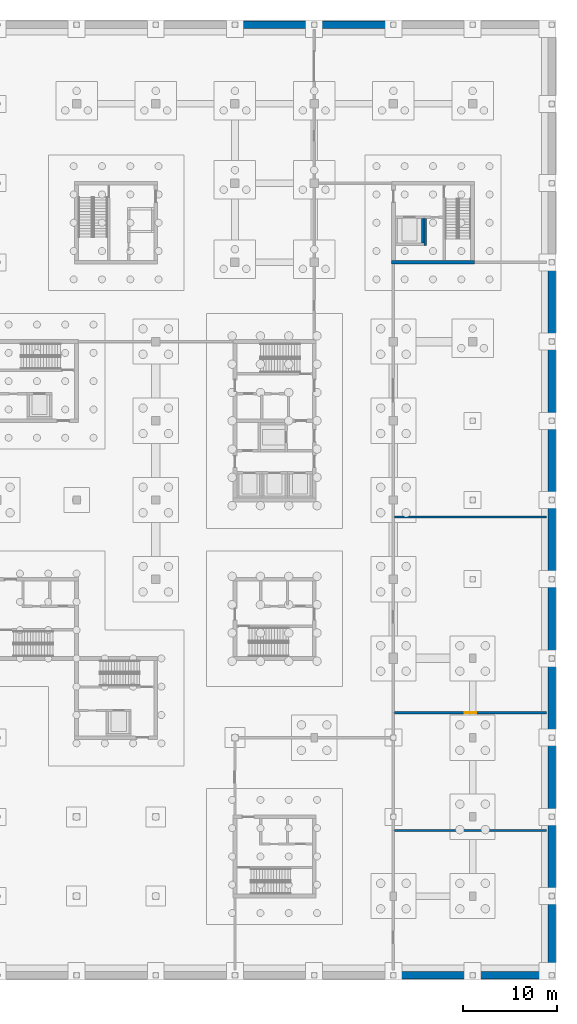
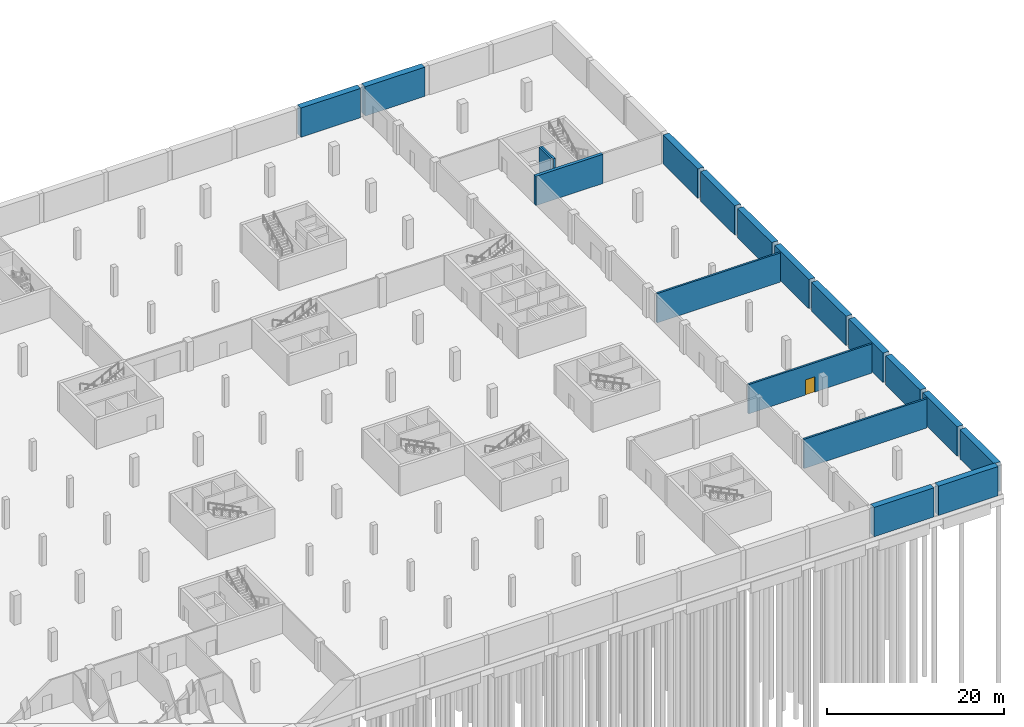
# One storey, part 17 of 23: 19 walls, 1 door, 1 opening.
"""IFC4 building model written with IfcOpenShell, lengths in metres."""

from ifc_helpers import new_model, si_unit, direction, frame, frame_2d, origin, place, context, subcontext, project, spatial, rectangle, extrude, material, layer, layer_set, type_object, element, fill, save


model = new_model("IFC4")

# Units and contexts
model_context = context("Model", 3, precision=1e-05, world=origin(), true_north=direction((0.0, 1.0)))
body_context = subcontext(model_context, "Body", "Model", "MODEL_VIEW")
ifc_project = project(units=[si_unit("LENGTHUNIT", "METRE"), si_unit("AREAUNIT", "SQUARE_METRE"), si_unit("VOLUMEUNIT", "CUBIC_METRE"), si_unit("PLANEANGLEUNIT", "RADIAN"), si_unit("MASSUNIT", "GRAM", prefix="KILO")], contexts=[model_context])

# Site, building, storey
site_placement = place(None, origin())
site = spatial("IfcSite", under=ifc_project, at=site_placement, CompositionType="ELEMENT")
building_placement = place(site_placement, origin())
building = spatial("IfcBuilding", under=site, at=building_placement, Name="Hlaing Beacon Police Headquarters", CompositionType="ELEMENT")
storey_placement = place(building_placement, frame((0.0, 0.0, -4.5)))
storey = spatial("IfcBuildingStorey", under=building, at=storey_placement, Name="B1", CompositionType="ELEMENT", Elevation=-4.5)

# Walls
ifc_material_1 = material(Name="Concrete C60/75", Category="concrete")
ifc_layer_1 = layer(ifc_material_1, 0.39990234375)
ifc_layer_set_1 = layer_set([ifc_layer_1], Name="Concrete C60/75")
wall_type_1 = type_object("IfcWallType", Name="Core shear wall 400", PredefinedType="SHEAR", material=ifc_layer_set_1)
wall_1_placement = place(storey_placement, frame((125.800048828125, 75.60009765625, 0.0), z_axis=(0.0, 0.0, 1.0), x_axis=(1.0, 0.0, 0.0)))
element("IfcWall", 1, at=wall_1_placement, inside=storey, type_object=wall_type_1, Name="Core shear wall", PredefinedType="SHEAR", context=body_context, shape_type="SweptSolid", body=[
    extrude(rectangle(XDim=8.800048828125, YDim=0.39990234375, at=frame_2d((4.39990234375, 0.0))), origin(), (0.0, 0.0, 1.0), 4.050048828125),
])
ifc_material_2 = material(Name="Concrete blockwork 7.5 N/mm2", Category="masonry")
ifc_layer_2 = layer(ifc_material_2, 0.25)
ifc_layer_set_2 = layer_set([ifc_layer_2], Name="Concrete blockwork 7.5 N/mm2")
wall_type_2 = type_object("IfcWallType", Name="Plant room wall EI 120 250", PredefinedType="PARTITIONING", material=ifc_layer_set_2)
wall_2_placement = place(storey_placement, frame((126.125, 15.35009765625, 0.0), z_axis=(0.0, 0.0, 1.0), x_axis=(1.0, 0.0, 0.0)))
element("IfcWall", 2, at=wall_2_placement, inside=storey, type_object=wall_type_2, Name="Plant room wall EI 120 250", PredefinedType="PARTITIONING", context=body_context, shape_type="SweptSolid", body=[
    extrude(rectangle(XDim=16.125, YDim=0.25, at=frame_2d((8.0625, 0.0))), origin(), (0.0, 0.0, 1.0), 4.050048828125),
])

# Wall, opening, door
wall_3_placement = place(storey_placement, frame((126.125, 27.85009765625, 0.0), z_axis=(0.0, 0.0, 1.0), x_axis=(1.0, 0.0, 0.0)))
wall_3 = element("IfcWall", 3, at=wall_3_placement, inside=storey, type_object=wall_type_2, Name="Plant room wall EI 120 250", PredefinedType="PARTITIONING", context=body_context, shape_type="SweptSolid", body=[
    extrude(rectangle(XDim=16.125, YDim=0.25, at=frame_2d((8.0625, 0.0))), origin(), (0.0, 0.0, 1.0), 4.050048828125),
])
opening_placement = place(wall_3_placement, frame((7.449951171875, 0.0, 0.0)))
opening = element("IfcOpeningElement", 4, at=opening_placement, cuts=wall_3, Name="Opening B1-002", PredefinedType="OPENING", context=body_context, shape_type="SweptSolid", body=[
    extrude(rectangle(XDim=1.199951171875, YDim=2.10009765625, at=frame_2d((0.60009765625, 1.050048828125))), frame((0.0, 0.135009765625, 0.0), z_axis=(0.0, -1.0, 0.0), x_axis=(1.0, 0.0, 0.0)), (0.0, 0.0, 1.0), 0.27001953125),
])
ifc_material_3 = material(Name="Steel fire door leaf", Category="steel")
ifc_layer_3 = layer(ifc_material_3, 0.10009765625)
ifc_layer_set_3 = layer_set([ifc_layer_3], Name="Steel fire door leaf")
door_type = type_object("IfcDoorType", Name="Steel plant door FD120 1200x2100", OperationType="SINGLE_SWING_LEFT", PredefinedType="DOOR", material=ifc_layer_set_3)
door_placement = place(opening_placement, frame((1.199951171875, 0.0, 0.0), z_axis=(0.0, 0.0, 1.0), x_axis=(-1.0, 0.0, 0.0)))
door = element("IfcDoor", 5, at=door_placement, inside=storey, type_object=door_type, Name="Door Basement Switch Room", OperationType="SINGLE_SWING_RIGHT", OverallHeight=2.10009765625, OverallWidth=1.199951171875, PredefinedType="DOOR", context=body_context, shape_type="SweptSolid", body=[
    extrude(rectangle(XDim=1.199951171875, YDim=2.10009765625, at=frame_2d((0.599853515625, 1.050048828125))), frame((0.0, 0.050048828125, 0.0), z_axis=(0.0, -1.0, 0.0), x_axis=(1.0, 0.0, 0.0)), (0.0, 0.0, 1.0), 0.10009765625),
])
fill(opening, door)

# Walls
wall_4_placement = place(storey_placement, frame((126.125, 48.60009765625, 0.0), z_axis=(0.0, 0.0, 1.0), x_axis=(1.0, 0.0, 0.0)))
element("IfcWall", 6, at=wall_4_placement, inside=storey, type_object=wall_type_2, Name="Plant room wall EI 120 250", PredefinedType="PARTITIONING", context=body_context, shape_type="SweptSolid", body=[
    extrude(rectangle(XDim=16.125, YDim=0.25, at=frame_2d((8.0625, 0.0))), origin(), (0.0, 0.0, 1.0), 4.050048828125),
])
ifc_material_4 = material(Name="Concrete C50/60", Category="concrete")
ifc_layer_4 = layer(ifc_material_4, 0.800048828125)
ifc_layer_set_4 = layer_set([ifc_layer_4], Name="Concrete C50/60")
wall_type_3 = type_object("IfcWallType", Name="Retaining wall 800", PredefinedType="SOLIDWALL", material=ifc_layer_set_4)
for number, where, z_axis, x_axis, name in (
    (7, (126.300048828125, 0.0, 0.0), (0.0, 0.0, 1.0), (1.0, 0.0, 0.0), "STR-RW-B1-S16"),
    (8, (134.699951171875, 0.0, 0.0), (0.0, 0.0, 1.0), (1.0, 0.0, 0.0), "STR-RW-B1-S17"),
    (9, (109.5, 100.800048828125, 0.0), (0.0, 0.0, 1.0), (1.0, 0.0, 0.0), "STR-RW-B1-N14"),
    (10, (117.89990234375, 100.800048828125, 0.0), (0.0, 0.0, 1.0), (1.0, 0.0, 0.0), "STR-RW-B1-N15"),
    (11, (142.800048828125, 0.300048828125, 0.0), (0.0, 0.0, 1.0), (0.0, 1.0, 0.0), "STR-RW-B1-E01"),
    (12, (142.800048828125, 8.699951171875, 0.0), (0.0, 0.0, 1.0), (0.0, 1.0, 0.0), "STR-RW-B1-E02"),
):
    element("IfcWall", number, at=place(storey_placement, frame(where, z_axis=z_axis, x_axis=x_axis)), inside=storey, type_object=wall_type_3, Name=name, PredefinedType="SOLIDWALL", context=body_context, shape_type="SweptSolid", body=[
        extrude(rectangle(XDim=7.800048828125, YDim=0.800048828125, at=frame_2d((3.89990234375, 0.0))), origin(), (0.0, 0.0, 1.0), 4.050048828125),
    ])
wall_5_placement = place(storey_placement, frame((142.800048828125, 17.10009765625, 0.0), z_axis=(0.0, 0.0, 1.0), x_axis=(0.0, 1.0, 0.0)))
element("IfcWall", 13, at=wall_5_placement, inside=storey, type_object=wall_type_3, Name="STR-RW-B1-E03", PredefinedType="SOLIDWALL", context=body_context, shape_type="SweptSolid", body=[
    extrude(rectangle(XDim=7.7998046875, YDim=0.800048828125, at=frame_2d((3.89990234375, 0.0))), origin(), (0.0, 0.0, 1.0), 4.050048828125),
])
for number, where, z_axis, x_axis, name in (
    (14, (142.800048828125, 25.5, 0.0), (0.0, 0.0, 1.0), (0.0, 1.0, 0.0), "STR-RW-B1-E04"),
    (15, (142.800048828125, 33.89990234375, 0.0), (0.0, 0.0, 1.0), (0.0, 1.0, 0.0), "STR-RW-B1-E05"),
    (16, (142.800048828125, 42.300048828125, 0.0), (0.0, 0.0, 1.0), (0.0, 1.0, 0.0), "STR-RW-B1-E06"),
    (17, (142.800048828125, 50.699951171875, 0.0), (0.0, 0.0, 1.0), (0.0, 1.0, 0.0), "STR-RW-B1-E07"),
):
    element("IfcWall", number, at=place(storey_placement, frame(where, z_axis=z_axis, x_axis=x_axis)), inside=storey, type_object=wall_type_3, Name=name, PredefinedType="SOLIDWALL", context=body_context, shape_type="SweptSolid", body=[
        extrude(rectangle(XDim=7.800048828125, YDim=0.800048828125, at=frame_2d((3.89990234375, 0.0))), origin(), (0.0, 0.0, 1.0), 4.050048828125),
    ])
wall_6_placement = place(storey_placement, frame((142.800048828125, 59.10009765625, 0.0), z_axis=(0.0, 0.0, 1.0), x_axis=(0.0, 1.0, 0.0)))
element("IfcWall", 18, at=wall_6_placement, inside=storey, type_object=wall_type_3, Name="STR-RW-B1-E08", PredefinedType="SOLIDWALL", context=body_context, shape_type="SweptSolid", body=[
    extrude(rectangle(XDim=7.7998046875, YDim=0.800048828125, at=frame_2d((3.89990234375, 0.0))), origin(), (0.0, 0.0, 1.0), 4.050048828125),
])
wall_7_placement = place(storey_placement, frame((142.800048828125, 67.5, 0.0), z_axis=(0.0, 0.0, 1.0), x_axis=(0.0, 1.0, 0.0)))
element("IfcWall", 19, at=wall_7_placement, inside=storey, type_object=wall_type_3, Name="STR-RW-B1-E09", PredefinedType="SOLIDWALL", context=body_context, shape_type="SweptSolid", body=[
    extrude(rectangle(XDim=7.800048828125, YDim=0.800048828125, at=frame_2d((3.89990234375, 0.0))), origin(), (0.0, 0.0, 1.0), 4.050048828125),
])
ifc_material_5 = material(Name="Concrete C40/50", Category="concrete")
ifc_layer_5 = layer(ifc_material_5, 0.25)
ifc_layer_set_5 = layer_set([ifc_layer_5], Name="Concrete C40/50")
wall_type_4 = type_object("IfcWallType", Name="Shaft wall 250", PredefinedType="SOLIDWALL", material=ifc_layer_set_5)
wall_8_placement = place(storey_placement, frame((129.375, 80.25, 0.0), z_axis=(0.0, 0.0, 1.0), x_axis=(0.0, -1.0, 0.0)))
element("IfcWall", 20, at=wall_8_placement, inside=storey, type_object=wall_type_4, Name="Riser wall", PredefinedType="SOLIDWALL", context=body_context, shape_type="SweptSolid", body=[
    extrude(rectangle(XDim=2.85009765625, YDim=0.25, at=frame_2d((1.425048828125, 0.0))), origin(), (0.0, 0.0, 1.0), 4.050048828125),
])
wall_9_placement = place(storey_placement, frame((129.125, 77.64990234375, 0.0), z_axis=(0.0, 0.0, 1.0), x_axis=(0.0, 1.0, 0.0)))
element("IfcWall", 21, at=wall_9_placement, inside=storey, type_object=wall_type_4, Name="Lift shaft wall FL3", PredefinedType="SOLIDWALL", context=body_context, shape_type="SweptSolid", body=[
    extrude(rectangle(XDim=2.60009765625, YDim=0.25, at=frame_2d((1.300048828125, 0.0))), origin(), (0.0, 0.0, 1.0), 4.050048828125),
])

save(model, "model.ifc")
